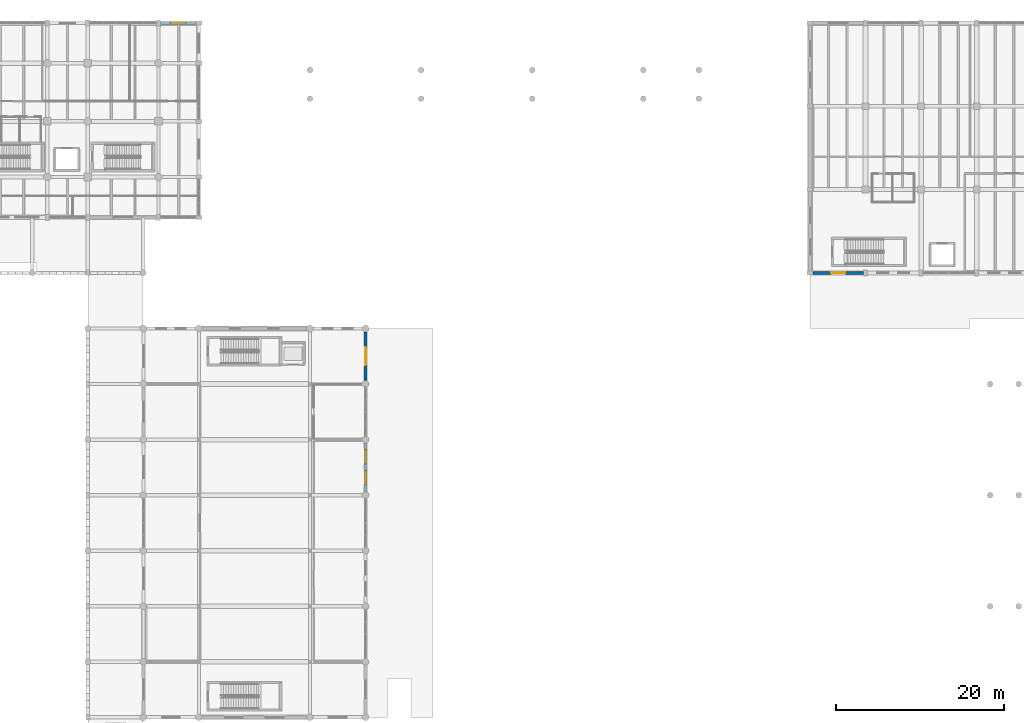
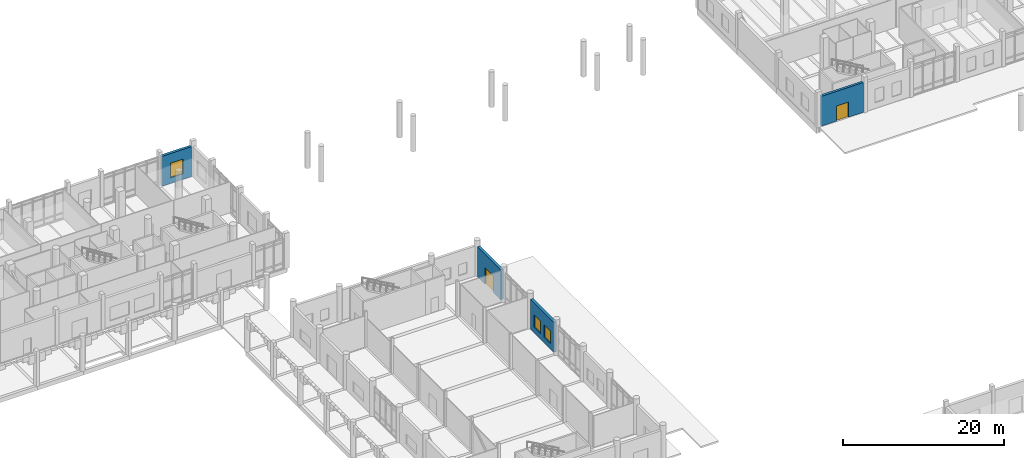
# One storey, part 51 of 72: 4 walls, 3 windows, 2 doors, 5 openings.
"""IFC4 building model written with IfcOpenShell, lengths in metres."""

from ifc_helpers import new_model, si_unit, direction, frame, frame_2d, origin, place, context, subcontext, project, spatial, rectangle, extrude, material, layer, layer_set, type_object, element, fill, save


model = new_model("IFC4")

# Units and contexts
model_context = context("Model", 3, precision=1e-05, world=origin(), true_north=direction((0.0, 1.0)))
body_context = subcontext(model_context, "Body", "Model", "MODEL_VIEW")
ifc_project = project(units=[si_unit("LENGTHUNIT", "METRE"), si_unit("AREAUNIT", "SQUARE_METRE"), si_unit("VOLUMEUNIT", "CUBIC_METRE"), si_unit("PLANEANGLEUNIT", "RADIAN"), si_unit("MASSUNIT", "GRAM", prefix="KILO")], contexts=[model_context])

# Site, building, storey
site_placement = place(None, origin())
site = spatial("IfcSite", under=ifc_project, at=site_placement, CompositionType="ELEMENT")
building_placement = place(site_placement, origin())
building = spatial("IfcBuilding", under=site, at=building_placement, Name="Dornvale Research Institute", CompositionType="ELEMENT")
storey_placement = place(building_placement, origin())
storey = spatial("IfcBuildingStorey", under=building, at=storey_placement, Name="L00", CompositionType="ELEMENT", Elevation=0.0)

# Wall, opening, door
ifc_material_1 = material(Name="Catalan Pressed Brick and Insulated Cavity Assembly", Category="masonry")
ifc_layer = layer(ifc_material_1, 0.360107421875)
ifc_layer_set = layer_set([ifc_layer], Name="Catalan Pressed Brick and Insulated Cavity Assembly")
wall_type = type_object("IfcWallType", Name="StandardWall_BrickCavity_360", PredefinedType="STANDARD", material=ifc_layer_set)
wall_1_placement = place(storey_placement, frame((66.0, 85.405029296875, 0.0), z_axis=(0.0, 0.0, 1.0), x_axis=(0.0, -1.0, 0.0)))
wall_1 = element("IfcWall", 1, at=wall_1_placement, inside=storey, type_object=wall_type, Name="L00 V2 east exterior wall #58", PredefinedType="STANDARD", context=body_context, shape_type="SweptSolid", body=[
    extrude(rectangle(XDim=5.81005859375, YDim=0.360107421875, at=frame_2d((2.905029296875, 0.0))), origin(), (0.0, 0.0, 1.0), 4.550048828125),
])
opening_1_placement = place(wall_1_placement, frame((1.85498046875, 0.0, 0.0)))
opening_1 = element("IfcOpeningElement", 2, at=opening_1_placement, cuts=wall_1, Name="Opening ED-03", PredefinedType="OPENING", context=body_context, shape_type="SweptSolid", body=[
    extrude(rectangle(XDim=2.10009765625, YDim=2.5, at=frame_2d((1.050048828125, 1.25))), frame((0.0, 0.195068359375, 0.0), z_axis=(0.0, -1.0, 0.0), x_axis=(1.0, 0.0, 0.0)), (0.0, 0.0, 1.0), 0.39013671875),
])
ifc_material_2 = material(Name="Galvanized Hollow Metal Insulated Door Assembly")
door_type_1 = type_object("IfcDoorType", Name="Door_ExtPortal_2100x2500", OperationType="SINGLE_SWING_LEFT", PredefinedType="DOOR", material=ifc_material_2)
door_1_placement = place(opening_1_placement, origin())
door_1 = element("IfcDoor", 3, at=door_1_placement, inside=storey, type_object=door_type_1, Name="L00 V2 final exit door ED-03 #8", OperationType="DOUBLE_DOOR_SINGLE_SWING", OverallHeight=2.5, OverallWidth=2.10009765625, PredefinedType="DOOR", context=body_context, shape_type="SweptSolid", body=[
    extrude(rectangle(XDim=2.10009765625, YDim=2.5, at=frame_2d((1.050048828125, 1.25))), frame((0.0, 0.02490234375, 0.0), z_axis=(0.0, -1.0, 0.0), x_axis=(1.0, 0.0, 0.0)), (0.0, 0.0, 1.0), 0.050048828125),
])
fill(opening_1, door_1)

# Wall, openings, windows
wall_2_placement = place(storey_placement, frame((66.0, 72.205078125, 0.0), z_axis=(0.0, 0.0, 1.0), x_axis=(0.0, -1.0, 0.0)))
wall_2 = element("IfcWall", 4, at=wall_2_placement, inside=storey, type_object=wall_type, Name="L00 V2 east exterior wall #59", PredefinedType="STANDARD", context=body_context, shape_type="SweptSolid", body=[
    extrude(rectangle(XDim=5.81005859375, YDim=0.360107421875, at=frame_2d((2.905029296875, 0.0))), origin(), (0.0, 0.0, 1.0), 4.550048828125),
])
opening_2_placement = place(wall_2_placement, frame((0.836669921875, 0.0, 0.85009765625)))
opening_2 = element("IfcOpeningElement", 5, at=opening_2_placement, cuts=wall_2, Name="Opening W-16", PredefinedType="OPENING", context=body_context, shape_type="SweptSolid", body=[
    extrude(rectangle(XDim=1.64990234375, YDim=1.860107421875, at=frame_2d((0.824951171875, 0.93017578125))), frame((0.0, 0.195068359375, 0.0), z_axis=(0.0, -1.0, 0.0), x_axis=(1.0, 0.0, 0.0)), (0.0, 0.0, 1.0), 0.39013671875),
])
opening_3_placement = place(wall_2_placement, frame((3.323486328125, 0.0, 0.85009765625)))
opening_3 = element("IfcOpeningElement", 6, at=opening_3_placement, cuts=wall_2, Name="Opening W-16", PredefinedType="OPENING", context=body_context, shape_type="SweptSolid", body=[
    extrude(rectangle(XDim=1.64990234375, YDim=1.860107421875, at=frame_2d((0.824951171875, 0.93017578125))), frame((0.0, 0.195068359375, 0.0), z_axis=(0.0, -1.0, 0.0), x_axis=(1.0, 0.0, 0.0)), (0.0, 0.0, 1.0), 0.39013671875),
])
ifc_material_3 = material(Name="Low-E Argon Double Insulating Glazing Unit", Category="glass")
window_type_1 = type_object("IfcWindowType", Name="Window_Alu_1650x1860_16", PartitioningType="SINGLE_PANEL", PredefinedType="WINDOW", material=ifc_material_3)
window_1_placement = place(opening_2_placement, origin())
window_1 = element("IfcWindow", 7, at=window_1_placement, inside=storey, type_object=window_type_1, Name="L00 V2 facade window W-16 #72", OverallHeight=1.860107421875, OverallWidth=1.64990234375, PartitioningType="SINGLE_PANEL", PredefinedType="WINDOW", context=body_context, shape_type="SweptSolid", body=[
    extrude(rectangle(XDim=1.64990234375, YDim=1.860107421875, at=frame_2d((0.824951171875, 0.93017578125))), frame((0.0, 0.030029296875, 0.0), z_axis=(0.0, -1.0, 0.0), x_axis=(1.0, 0.0, 0.0)), (0.0, 0.0, 1.0), 0.06005859375),
])
fill(opening_2, window_1)
window_2_placement = place(opening_3_placement, origin())
window_2 = element("IfcWindow", 8, at=window_2_placement, inside=storey, type_object=window_type_1, Name="L00 V2 facade window W-16 #73", OverallHeight=1.860107421875, OverallWidth=1.64990234375, PartitioningType="SINGLE_PANEL", PredefinedType="WINDOW", context=body_context, shape_type="SweptSolid", body=[
    extrude(rectangle(XDim=1.64990234375, YDim=1.860107421875, at=frame_2d((0.824951171875, 0.93017578125))), frame((0.0, 0.030029296875, 0.0), z_axis=(0.0, -1.0, 0.0), x_axis=(1.0, 0.0, 0.0)), (0.0, 0.0, 1.0), 0.06005859375),
])
fill(opening_3, window_2)

# Wall, opening, door
wall_3_placement = place(storey_placement, frame((125.14990234375, 92.39990234375, 0.0), z_axis=(0.0, 0.0, 1.0), x_axis=(-1.0, 0.0, 0.0)))
wall_3 = element("IfcWall", 9, at=wall_3_placement, inside=storey, type_object=wall_type, Name="L00 V4 south exterior wall #200", PredefinedType="STANDARD", context=body_context, shape_type="SweptSolid", body=[
    extrude(rectangle(XDim=6.0, YDim=0.360107421875, at=frame_2d((3.0, 0.0))), origin(), (0.0, 0.0, 1.0), 4.530029296875),
])
opening_4_placement = place(wall_3_placement, frame((2.14990234375, 0.0, 0.0)))
opening_4 = element("IfcOpeningElement", 10, at=opening_4_placement, cuts=wall_3, Name="Opening ED-07", PredefinedType="OPENING", context=body_context, shape_type="SweptSolid", body=[
    extrude(rectangle(XDim=1.699951171875, YDim=2.300048828125, at=frame_2d((0.85009765625, 1.14990234375))), frame((0.0, 0.195068359375, 0.0), z_axis=(0.0, -1.0, 0.0), x_axis=(1.0, 0.0, 0.0)), (0.0, 0.0, 1.0), 0.39013671875),
])
ifc_material_4 = material(Name="Galvanized Hollow Metal Insulated Door Assembly")
door_type_2 = type_object("IfcDoorType", Name="Door_ExtExit_1700x2300", OperationType="SINGLE_SWING_LEFT", PredefinedType="DOOR", material=ifc_material_4)
door_2_placement = place(opening_4_placement, origin())
door_2 = element("IfcDoor", 11, at=door_2_placement, inside=storey, type_object=door_type_2, Name="L00 V4 final exit door ED-07 #24", OperationType="DOUBLE_DOOR_SINGLE_SWING", OverallHeight=2.300048828125, OverallWidth=1.699951171875, PredefinedType="DOOR", context=body_context, shape_type="SweptSolid", body=[
    extrude(rectangle(XDim=1.699951171875, YDim=2.300048828125, at=frame_2d((0.85009765625, 1.14990234375))), frame((0.0, 0.02490234375, 0.0), z_axis=(0.0, -1.0, 0.0), x_axis=(1.0, 0.0, 0.0)), (0.0, 0.0, 1.0), 0.050048828125),
])
fill(opening_4, door_2)

# Wall, opening, window
wall_4_placement = place(storey_placement, frame((41.64990234375, 122.10009765625, 0.0), z_axis=(0.0, 0.0, 1.0), x_axis=(1.0, 0.0, 0.0)))
wall_4 = element("IfcWall", 12, at=wall_4_placement, inside=storey, type_object=wall_type, Name="L00 V5 north exterior wall #296", PredefinedType="STANDARD", context=body_context, shape_type="SweptSolid", body=[
    extrude(rectangle(XDim=4.2001953125, YDim=0.360107421875, at=frame_2d((2.10009765625, 0.0))), origin(), (0.0, 0.0, 1.0), 4.550048828125),
])
opening_5_placement = place(wall_4_placement, frame((1.199951171875, 0.0, 0.85009765625)))
opening_5 = element("IfcOpeningElement", 13, at=opening_5_placement, cuts=wall_4, Name="Opening W-41", PredefinedType="OPENING", context=body_context, shape_type="SweptSolid", body=[
    extrude(rectangle(XDim=1.800048828125, YDim=2.239990234375, at=frame_2d((0.89990234375, 1.1201171875))), frame((0.0, 0.195068359375, 0.0), z_axis=(0.0, -1.0, 0.0), x_axis=(1.0, 0.0, 0.0)), (0.0, 0.0, 1.0), 0.39013671875),
])
ifc_material_5 = material(Name="Low-E Argon Double Insulating Glazing Unit", Category="glass")
window_type_2 = type_object("IfcWindowType", Name="Window_Alu_1800x2240_41", PartitioningType="DOUBLE_PANEL_VERTICAL", PredefinedType="WINDOW", material=ifc_material_5)
window_3_placement = place(opening_5_placement, origin())
window_3 = element("IfcWindow", 14, at=window_3_placement, inside=storey, type_object=window_type_2, Name="L00 V5 facade window W-41 #411", OverallHeight=2.239990234375, OverallWidth=1.800048828125, PartitioningType="DOUBLE_PANEL_VERTICAL", PredefinedType="WINDOW", context=body_context, shape_type="SweptSolid", body=[
    extrude(rectangle(XDim=1.800048828125, YDim=2.239990234375, at=frame_2d((0.89990234375, 1.1201171875))), frame((0.0, 0.030029296875, 0.0), z_axis=(0.0, -1.0, 0.0), x_axis=(1.0, 0.0, 0.0)), (0.0, 0.0, 1.0), 0.06005859375),
])
fill(opening_5, window_3)

save(model, "model.ifc")
